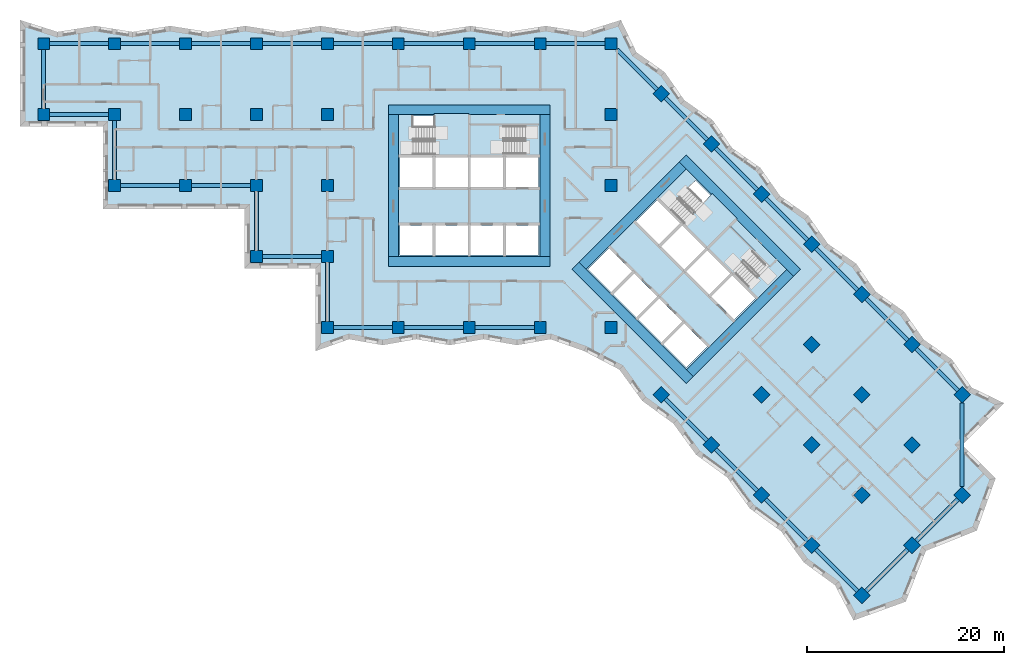
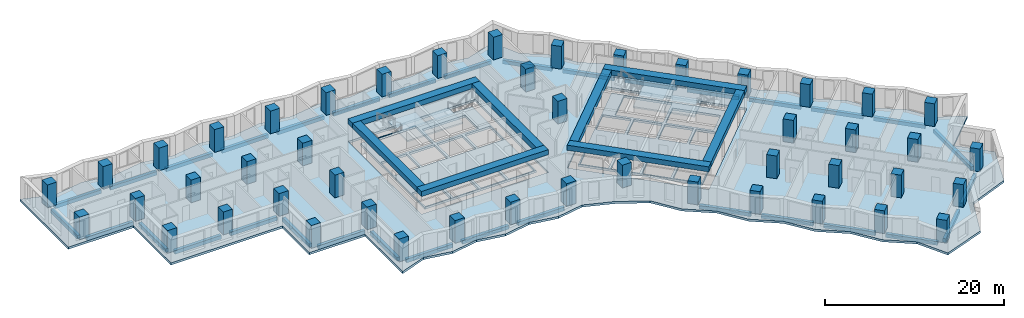
# One storey, part 1 of 12: 47 columns, 41 beams, 7 slabs, 22 openings, 4 elements without a shape of their own.
"""IFC4 building model written with IfcOpenShell, lengths in metres."""

from ifc_helpers import new_model, si_unit, direction, frame, origin, origin_2d, place, context, subcontext, project, spatial, polyline, rectangle, outline, extrude, material, layer, layer_set, material_profile, profile_set, type_object, element, aggregate, save


model = new_model("IFC4")

# Units and contexts
model_context = context("Model", 3, precision=1e-05, world=origin(), true_north=direction((0.0, 1.0)))
body_context = subcontext(model_context, "Body", "Model", "MODEL_VIEW")
ifc_project = project(units=[si_unit("LENGTHUNIT", "METRE"), si_unit("AREAUNIT", "SQUARE_METRE"), si_unit("VOLUMEUNIT", "CUBIC_METRE"), si_unit("PLANEANGLEUNIT", "RADIAN"), si_unit("MASSUNIT", "GRAM", prefix="KILO")], contexts=[model_context])

# Site, building, storey
site_placement = place(None, origin())
site = spatial("IfcSite", under=ifc_project, at=site_placement, CompositionType="ELEMENT")
building_placement = place(site_placement, origin())
building = spatial("IfcBuilding", under=site, at=building_placement, Name="Windrow Commons", CompositionType="ELEMENT")
storey_placement = place(building_placement, frame((0.0, 0.0, 61.0)))
storey = spatial("IfcBuildingStorey", under=building, at=storey_placement, Name="L16", CompositionType="ELEMENT", Elevation=61.0)

# Columns
ifc_material_1 = material(Name="Concrete C60/75", Category="concrete")
ifc_material_profile_1 = material_profile(ifc_material_1, rectangle(XDim=1.2, YDim=1.2, at=origin_2d()))
ifc_profile_set_1 = profile_set([ifc_material_profile_1], Name="Concrete C60/75")
column_type = type_object("IfcColumnType", Name="RC COLUMN 1200x1200 C60/75", PredefinedType="COLUMN", material=ifc_profile_set_1)
for number, where, z_axis, x_axis, name in (
    (1, (21.6, 64.8, 0.0), (0.0, 0.0, 1.0), (1.0, 0.0, 0.0), "C-Z1-04I"),
    (2, (21.6, 72.0, 0.0), (0.0, 0.0, 1.0), (1.0, 0.0, 0.0), "C-Z1-04J"),
    (3, (28.8, 57.6, 0.0), (0.0, 0.0, 1.0), (1.0, 0.0, 0.0), "C-Z1-05H"),
    (4, (28.8, 64.8, 0.0), (0.0, 0.0, 1.0), (1.0, 0.0, 0.0), "C-Z1-05I"),
    (5, (28.8, 72.0, 0.0), (0.0, 0.0, 1.0), (1.0, 0.0, 0.0), "C-Z1-05J"),
    (6, (36.0, 57.6, 0.0), (0.0, 0.0, 1.0), (1.0, 0.0, 0.0), "C-Z1-06H"),
    (7, (36.0, 64.8, 0.0), (0.0, 0.0, 1.0), (1.0, 0.0, 0.0), "C-Z1-06I"),
    (8, (36.0, 72.0, 0.0), (0.0, 0.0, 1.0), (1.0, 0.0, 0.0), "C-Z1-06J"),
    (9, (43.2, 50.4, 0.0), (0.0, 0.0, 1.0), (1.0, 0.0, 0.0), "C-Z1-07G"),
    (10, (43.2, 57.6, 0.0), (0.0, 0.0, 1.0), (1.0, 0.0, 0.0), "C-Z1-07H"),
    (11, (43.2, 64.8, 0.0), (0.0, 0.0, 1.0), (1.0, 0.0, 0.0), "C-Z1-07I"),
    (12, (43.2, 72.0, 0.0), (0.0, 0.0, 1.0), (1.0, 0.0, 0.0), "C-Z1-07J"),
    (13, (50.4, 43.2, 0.0), (0.0, 0.0, 1.0), (1.0, 0.0, 0.0), "C-Z1-08F"),
    (14, (50.4, 50.4, 0.0), (0.0, 0.0, 1.0), (1.0, 0.0, 0.0), "C-Z1-08G"),
    (15, (50.4, 57.6, 0.0), (0.0, 0.0, 1.0), (1.0, 0.0, 0.0), "C-Z1-08H"),
    (16, (50.4, 64.8, 0.0), (0.0, 0.0, 1.0), (1.0, 0.0, 0.0), "C-Z1-08I"),
    (17, (50.4, 72.0, 0.0), (0.0, 0.0, 1.0), (1.0, 0.0, 0.0), "C-Z1-08J"),
    (18, (57.6, 43.2, 0.0), (0.0, 0.0, 1.0), (1.0, 0.0, 0.0), "C-Z1-09F"),
    (19, (57.6, 72.0, 0.0), (0.0, 0.0, 1.0), (1.0, 0.0, 0.0), "C-Z1-09J"),
    (20, (64.8, 43.2, 0.0), (0.0, 0.0, 1.0), (1.0, 0.0, 0.0), "C-Z1-10F"),
    (21, (64.8, 72.0, 0.0), (0.0, 0.0, 1.0), (1.0, 0.0, 0.0), "C-Z1-10J"),
    (22, (72.0, 43.2, 0.0), (0.0, 0.0, 1.0), (1.0, 0.0, 0.0), "C-Z1-11F"),
    (23, (72.0, 72.0, 0.0), (0.0, 0.0, 1.0), (1.0, 0.0, 0.0), "C-Z1-11J"),
    (24, (79.2, 43.2, 0.0), (0.0, 0.0, 1.0), (1.0, 0.0, 0.0), "C-Z1-12F"),
    (25, (79.2, 57.6, 0.0), (0.0, 0.0, 1.0), (1.0, 0.0, 0.0), "C-Z1-12H"),
    (26, (79.2, 64.8, 0.0), (0.0, 0.0, 1.0), (1.0, 0.0, 0.0), "C-Z1-12I"),
    (27, (79.2, 72.0, 0.0), (0.0, 0.0, 1.0), (1.0, 0.0, 0.0), "C-Z1-12J"),
    (28, (84.2912, 66.9088, 0.0), (0.0, 0.0, 1.0), (0.7071067812, -0.7071067812, 0.0), "C-Z1-P2Q"),
    (29, (89.3823, 61.8177, 0.0), (0.0, 0.0, 1.0), (0.7071067812, -0.7071067812, 0.0), "C-Z1-P3Q"),
    (30, (94.4735, 56.7265, 0.0), (0.0, 0.0, 1.0), (0.7071067812, -0.7071067812, 0.0), "C-Z1-P4Q"),
    (31, (99.5647, 51.6353, 0.0), (0.0, 0.0, 1.0), (0.7071067812, -0.7071067812, 0.0), "C-Z1-P5Q"),
    (32, (84.2912, 36.3618, 0.0), (0.0, 0.0, 1.0), (0.7071067812, -0.7071067812, 0.0), "C-Z1-P5T"),
    (33, (104.6558, 46.5442, 0.0), (0.0, 0.0, 1.0), (0.7071067812, -0.7071067812, 0.0), "C-Z1-P6Q"),
    (34, (99.5647, 41.453, 0.0), (0.0, 0.0, 1.0), (0.7071067812, -0.7071067812, 0.0), "C-Z1-P6R"),
    (35, (94.4735, 36.3618, 0.0), (0.0, 0.0, 1.0), (0.7071067812, -0.7071067812, 0.0), "C-Z1-P6S"),
    (36, (89.3823, 31.2706, 0.0), (0.0, 0.0, 1.0), (0.7071067812, -0.7071067812, 0.0), "C-Z1-P6T"),
    (37, (109.747, 41.453, 0.0), (0.0, 0.0, 1.0), (0.7071067812, -0.7071067812, 0.0), "C-Z1-P7Q"),
    (38, (104.6558, 36.3618, 0.0), (0.0, 0.0, 1.0), (0.7071067812, -0.7071067812, 0.0), "C-Z1-P7R"),
    (39, (99.5647, 31.2706, 0.0), (0.0, 0.0, 1.0), (0.7071067812, -0.7071067812, 0.0), "C-Z1-P7S"),
    (40, (94.4735, 26.1795, 0.0), (0.0, 0.0, 1.0), (0.7071067812, -0.7071067812, 0.0), "C-Z1-P7T"),
    (41, (114.8382, 36.3618, 0.0), (0.0, 0.0, 1.0), (0.7071067812, -0.7071067812, 0.0), "C-Z1-P8Q"),
    (42, (109.747, 31.2706, 0.0), (0.0, 0.0, 1.0), (0.7071067812, -0.7071067812, 0.0), "C-Z1-P8R"),
    (43, (104.6558, 26.1795, 0.0), (0.0, 0.0, 1.0), (0.7071067812, -0.7071067812, 0.0), "C-Z1-P8S"),
    (44, (99.5647, 21.0883, 0.0), (0.0, 0.0, 1.0), (0.7071067812, -0.7071067812, 0.0), "C-Z1-P8T"),
    (45, (114.8382, 26.1795, 0.0), (0.0, 0.0, 1.0), (0.7071067812, -0.7071067812, 0.0), "C-Z1-P9R"),
    (46, (109.747, 21.0883, 0.0), (0.0, 0.0, 1.0), (0.7071067812, -0.7071067812, 0.0), "C-Z1-P9S"),
    (47, (104.6558, 15.9971, 0.0), (0.0, 0.0, 1.0), (0.7071067812, -0.7071067812, 0.0), "C-Z1-P9T"),
):
    element("IfcColumn", number, at=place(storey_placement, frame(where, z_axis=z_axis, x_axis=x_axis)), inside=storey, type_object=column_type, Name=name, PredefinedType="COLUMN", context=body_context, shape_type="SweptSolid", body=[
        extrude(rectangle(XDim=1.2, YDim=1.2, at=origin_2d()), origin(), (0.0, 0.0, 1.0), 3.1),
    ])

# Beams
ifc_material_2 = material(Name="Concrete C60/75", Category="concrete")
ifc_material_profile_2 = material_profile(ifc_material_2, rectangle(XDim=1.0, YDim=0.7, at=origin_2d()))
ifc_profile_set_2 = profile_set([ifc_material_profile_2], Name="Concrete C60/75")
beam_type_1 = type_object("IfcBeamType", Name="RC COUPLING BEAM 1000x700 C60/75", PredefinedType="LINTEL", material=ifc_profile_set_2)
for number, where, z_axis, x_axis, name in (
    (48, (56.6, 49.9, 2.75), (1.0, 0.0, 0.0), (0.0, 1.0, 0.0), "Core A coupling beam outer-S"),
    (49, (56.6, 65.3, 2.75), (1.0, 0.0, 0.0), (0.0, 1.0, 0.0), "Core A coupling beam outer-N"),
):
    element("IfcBeam", number, at=place(storey_placement, frame(where, z_axis=z_axis, x_axis=x_axis)), inside=storey, type_object=beam_type_1, Name=name, PredefinedType="LINTEL", context=body_context, shape_type="SweptSolid", body=[
        extrude(rectangle(XDim=1.0, YDim=0.7, at=origin_2d()), origin(), (0.0, 0.0, 1.0), 16.4),
    ])
for number, where, z_axis, x_axis, name in (
    (50, (57.1, 50.4, 2.75), (0.0, 1.0, 0.0), (-1.0, 0.0, 0.0), "Core A coupling beam outer-W"),
    (51, (72.5, 50.4, 2.75), (0.0, 1.0, 0.0), (-1.0, 0.0, 0.0), "Core A coupling beam outer-E"),
):
    element("IfcBeam", number, at=place(storey_placement, frame(where, z_axis=z_axis, x_axis=x_axis)), inside=storey, type_object=beam_type_1, Name=name, PredefinedType="LINTEL", context=body_context, shape_type="SweptSolid", body=[
        extrude(rectangle(XDim=1.0, YDim=0.7, at=origin_2d()), origin(), (0.0, 0.0, 1.0), 14.4),
    ])
for number, where, z_axis, x_axis, name in (
    (52, (75.5938, 49.4433, 2.75), (0.7071037324, -0.70710983, 0.0), (0.70710983, 0.7071037324, 0.0), "Core B coupling beam outer-S"),
    (53, (86.4832, 60.3327, 2.75), (0.70710983, -0.7071037324, 0.0), (0.7071037324, 0.70710983, 0.0), "Core B coupling beam outer-N"),
):
    element("IfcBeam", number, at=place(storey_placement, frame(where, z_axis=z_axis, x_axis=x_axis)), inside=storey, type_object=beam_type_1, Name=name, PredefinedType="LINTEL", context=body_context, shape_type="SweptSolid", body=[
        extrude(rectangle(XDim=1.0, YDim=0.7, at=origin_2d()), origin(), (0.0, 0.0, 1.0), 16.4),
    ])
beam_1_placement = place(storey_placement, frame((76.3009, 49.4433, 2.75), z_axis=(0.7071067812, 0.7071067812, 0.0), x_axis=(-0.7071067812, 0.7071067812, 0.0)))
element("IfcBeam", 54, at=beam_1_placement, inside=storey, type_object=beam_type_1, Name="Core B coupling beam outer-W", PredefinedType="LINTEL", context=body_context, shape_type="SweptSolid", body=[
    extrude(rectangle(XDim=1.0, YDim=0.7, at=origin_2d()), origin(), (0.0, 0.0, 1.0), 14.3999),
])
beam_2_placement = place(storey_placement, frame((87.1903, 38.5538, 2.75), z_axis=(0.707103309, 0.7071102534, 0.0), x_axis=(-0.7071102534, 0.707103309, 0.0)))
element("IfcBeam", 55, at=beam_2_placement, inside=storey, type_object=beam_type_1, Name="Core B coupling beam outer-E", PredefinedType="LINTEL", context=body_context, shape_type="SweptSolid", body=[
    extrude(rectangle(XDim=1.0, YDim=0.7, at=origin_2d()), origin(), (0.0, 0.0, 1.0), 14.4),
])
ifc_material_3 = material(Name="Concrete C60/75", Category="concrete")
ifc_material_profile_3 = material_profile(ifc_material_3, rectangle(XDim=0.4, YDim=0.5, at=origin_2d()))
ifc_profile_set_3 = profile_set([ifc_material_profile_3], Name="Concrete C60/75")
beam_type_2 = type_object("IfcBeamType", Name="RC EDGE BEAM 400x500 C60/75", PredefinedType="SPANDREL", material=ifc_profile_set_3)
for number, where, z_axis, x_axis, name in (
    (56, (49.8, 50.4, -0.55), (-1.0, 0.0, 0.0), (0.0, -1.0, 0.0), "Edge beam L16 001"),
    (57, (43.2, 51.0, -0.55), (0.0, 1.0, 0.0), (-1.0, 0.0, 0.0), "Edge beam L16 002"),
    (58, (42.6, 57.6, -0.55), (-1.0, 0.0, 0.0), (0.0, -1.0, 0.0), "Edge beam L16 003"),
    (59, (35.4, 57.6, -0.55), (-1.0, 0.0, 0.0), (0.0, -1.0, 0.0), "Edge beam L16 004"),
    (60, (28.8, 58.2, -0.55), (0.0, 1.0, 0.0), (-1.0, 0.0, 0.0), "Edge beam L16 005"),
    (61, (28.2, 64.8, -0.55), (-1.0, 0.0, 0.0), (0.0, -1.0, 0.0), "Edge beam L16 006"),
    (62, (21.6, 65.4, -0.55), (0.0, 1.0, 0.0), (-1.0, 0.0, 0.0), "Edge beam L16 007"),
    (63, (22.2, 72.0, -0.55), (1.0, 0.0, 0.0), (0.0, 1.0, 0.0), "Edge beam L16 008"),
    (64, (29.4, 72.0, -0.55), (1.0, 0.0, 0.0), (0.0, 1.0, 0.0), "Edge beam L16 009"),
    (65, (36.6, 72.0, -0.55), (1.0, 0.0, 0.0), (0.0, 1.0, 0.0), "Edge beam L16 010"),
    (66, (43.8, 72.0, -0.55), (1.0, 0.0, 0.0), (0.0, 1.0, 0.0), "Edge beam L16 011"),
    (67, (51.0, 72.0, -0.55), (1.0, 0.0, 0.0), (0.0, 1.0, 0.0), "Edge beam L16 012"),
    (68, (58.2, 72.0, -0.55), (1.0, 0.0, 0.0), (0.0, 1.0, 0.0), "Edge beam L16 013"),
    (69, (65.4, 72.0, -0.55), (1.0, 0.0, 0.0), (0.0, 1.0, 0.0), "Edge beam L16 014"),
    (70, (72.6, 72.0, -0.55), (1.0, 0.0, 0.0), (0.0, 1.0, 0.0), "Edge beam L16 015"),
):
    element("IfcBeam", number, at=place(storey_placement, frame(where, z_axis=z_axis, x_axis=x_axis)), inside=storey, type_object=beam_type_2, Name=name, PredefinedType="SPANDREL", context=body_context, shape_type="SweptSolid", body=[
        extrude(rectangle(XDim=0.4, YDim=0.5, at=origin_2d()), origin(), (0.0, 0.0, 1.0), 6.0),
    ])
beam_3_placement = place(storey_placement, frame((79.8, 71.4, -0.55), z_axis=(0.7071067812, -0.7071067812, 0.0), x_axis=(0.7071067812, 0.7071067812, 0.0)))
element("IfcBeam", 71, at=beam_3_placement, inside=storey, type_object=beam_type_2, Name="Edge beam L16 016", PredefinedType="SPANDREL", context=body_context, shape_type="SweptSolid", body=[
    extrude(rectangle(XDim=0.4, YDim=0.5, at=origin_2d()), origin(), (0.0, 0.0, 1.0), 5.7515),
])
beam_4_placement = place(storey_placement, frame((84.7155, 66.4845, -0.55), z_axis=(0.7071067812, -0.7071067812, 0.0), x_axis=(0.7071067812, 0.7071067812, 0.0)))
element("IfcBeam", 72, at=beam_4_placement, inside=storey, type_object=beam_type_2, Name="Edge beam L16 017", PredefinedType="SPANDREL", context=body_context, shape_type="SweptSolid", body=[
    extrude(rectangle(XDim=0.4, YDim=0.5, at=origin_2d()), origin(), (0.0, 0.0, 1.0), 5.9998),
])
for number, where, z_axis, x_axis, name in (
    (73, (89.8066, 61.3934, -0.55), (0.7071067812, -0.7071067812, 0.0), (0.7071067812, 0.7071067812, 0.0), "Edge beam L16 018"),
    (74, (94.8978, 56.3022, -0.55), (0.7071067812, -0.7071067812, 0.0), (0.7071067812, 0.7071067812, 0.0), "Edge beam L16 019"),
):
    element("IfcBeam", number, at=place(storey_placement, frame(where, z_axis=z_axis, x_axis=x_axis)), inside=storey, type_object=beam_type_2, Name=name, PredefinedType="SPANDREL", context=body_context, shape_type="SweptSolid", body=[
        extrude(rectangle(XDim=0.4, YDim=0.5, at=origin_2d()), origin(), (0.0, 0.0, 1.0), 5.9999),
    ])
beam_5_placement = place(storey_placement, frame((99.989, 51.211, -0.55), z_axis=(0.7071067812, -0.7071067812, 0.0), x_axis=(0.7071067812, 0.7071067812, 0.0)))
element("IfcBeam", 75, at=beam_5_placement, inside=storey, type_object=beam_type_2, Name="Edge beam L16 020", PredefinedType="SPANDREL", context=body_context, shape_type="SweptSolid", body=[
    extrude(rectangle(XDim=0.4, YDim=0.5, at=origin_2d()), origin(), (0.0, 0.0, 1.0), 5.9998),
])
for number, where, z_axis, x_axis, name in (
    (76, (105.0801, 46.1199, -0.55), (0.7071067812, -0.7071067812, 0.0), (0.7071067812, 0.7071067812, 0.0), "Edge beam L16 021"),
    (77, (110.1713, 41.0287, -0.55), (0.7071067812, -0.7071067812, 0.0), (0.7071067812, 0.7071067812, 0.0), "Edge beam L16 022"),
):
    element("IfcBeam", number, at=place(storey_placement, frame(where, z_axis=z_axis, x_axis=x_axis)), inside=storey, type_object=beam_type_2, Name=name, PredefinedType="SPANDREL", context=body_context, shape_type="SweptSolid", body=[
        extrude(rectangle(XDim=0.4, YDim=0.5, at=origin_2d()), origin(), (0.0, 0.0, 1.0), 5.9999),
    ])
beam_6_placement = place(storey_placement, frame((114.8382, 35.5133, -0.55), z_axis=(0.0, -1.0, 0.0), x_axis=(1.0, 0.0, 0.0)))
element("IfcBeam", 78, at=beam_6_placement, inside=storey, type_object=beam_type_2, Name="Edge beam L16 023", PredefinedType="SPANDREL", context=body_context, shape_type="SweptSolid", body=[
    extrude(rectangle(XDim=0.4, YDim=0.5, at=origin_2d()), origin(), (0.0, 0.0, 1.0), 8.4853),
])
for number, where, z_axis, x_axis, name in (
    (79, (114.4139, 25.7552, -0.55), (-0.7071067812, -0.7071067812, 0.0), (0.7071067812, -0.7071067812, 0.0), "Edge beam L16 024"),
    (80, (109.3227, 20.664, -0.55), (-0.7071067812, -0.7071067812, 0.0), (0.7071067812, -0.7071067812, 0.0), "Edge beam L16 025"),
    (81, (104.2315, 16.4214, -0.55), (-0.7070984476, 0.7071151146, 0.0), (-0.7071151146, -0.7070984476, 0.0), "Edge beam L16 026"),
    (82, (99.1404, 21.5126, -0.55), (-0.7071067812, 0.7071067812, 0.0), (-0.7071067812, -0.7071067812, 0.0), "Edge beam L16 027"),
    (83, (94.0492, 26.6038, -0.55), (-0.7071151146, 0.7070984476, 0.0), (-0.7070984476, -0.7071151146, 0.0), "Edge beam L16 028"),
    (84, (88.958, 31.6949, -0.55), (-0.7070984476, 0.7071151146, 0.0), (-0.7071151146, -0.7070984476, 0.0), "Edge beam L16 029"),
):
    element("IfcBeam", number, at=place(storey_placement, frame(where, z_axis=z_axis, x_axis=x_axis)), inside=storey, type_object=beam_type_2, Name=name, PredefinedType="SPANDREL", context=body_context, shape_type="SweptSolid", body=[
        extrude(rectangle(XDim=0.4, YDim=0.5, at=origin_2d()), origin(), (0.0, 0.0, 1.0), 5.9999),
    ])
for number, where, z_axis, x_axis, name in (
    (85, (71.4, 43.2, -0.55), (-1.0, 0.0, 0.0), (0.0, -1.0, 0.0), "Edge beam L16 030"),
    (86, (64.2, 43.2, -0.55), (-1.0, 0.0, 0.0), (0.0, -1.0, 0.0), "Edge beam L16 031"),
    (87, (57.0, 43.2, -0.55), (-1.0, 0.0, 0.0), (0.0, -1.0, 0.0), "Edge beam L16 032"),
    (88, (50.4, 43.8, -0.55), (0.0, 1.0, 0.0), (-1.0, 0.0, 0.0), "Edge beam L16 033"),
):
    element("IfcBeam", number, at=place(storey_placement, frame(where, z_axis=z_axis, x_axis=x_axis)), inside=storey, type_object=beam_type_2, Name=name, PredefinedType="SPANDREL", context=body_context, shape_type="SweptSolid", body=[
        extrude(rectangle(XDim=0.4, YDim=0.5, at=origin_2d()), origin(), (0.0, 0.0, 1.0), 6.0),
    ])

# Slab, openings
ifc_material_4 = material(Name="Concrete C60/75", Category="concrete")
ifc_layer_1 = layer(ifc_material_4, 0.3)
ifc_layer_set_1 = layer_set([ifc_layer_1], Name="CORE FLOOR SLAB 300 C60/75")
slab_type_1 = type_object("IfcSlabType", Name="CORE FLOOR SLAB 300 C60/75", PredefinedType="FLOOR", material=ifc_layer_set_1)
placement_1 = place(storey_placement, frame((0.0, 0.0, -0.3)))
slab_1 = element("IfcSlab", 89, at=placement_1, inside=storey, type_object=slab_type_1, Name="S-L16-core-A", PredefinedType="FLOOR", context=body_context, shape_type="SweptSolid", body=[
    extrude(outline(polyline([(57.6, 50.4), (72.0, 50.4), (72.0, 64.8), (57.6, 64.8), (57.6, 50.4)]), holes=[polyline([(57.75, 50.55), (61.05, 50.55), (61.05, 53.55), (57.75, 53.55), (57.75, 50.55)]), polyline([(61.35, 50.55), (64.65, 50.55), (64.65, 53.55), (61.35, 53.55), (61.35, 50.55)]), polyline([(64.95, 50.55), (68.25, 50.55), (68.25, 53.55), (64.95, 53.55), (64.95, 50.55)]), polyline([(68.55, 50.55), (71.85, 50.55), (71.85, 53.55), (68.55, 53.55), (68.55, 50.55)]), polyline([(57.75, 57.45), (61.05, 57.45), (61.05, 60.45), (57.75, 60.45), (57.75, 57.45)]), polyline([(61.35, 57.45), (64.65, 57.45), (64.65, 60.45), (61.35, 60.45), (61.35, 57.45)]), polyline([(64.95, 57.45), (68.25, 57.45), (68.25, 60.45), (64.95, 60.45), (64.95, 57.45)]), polyline([(68.55, 57.45), (71.85, 57.45), (71.85, 60.45), (68.55, 60.45), (68.55, 57.45)]), polyline([(59.1, 60.75), (64.65, 60.75), (64.65, 64.65), (59.1, 64.65), (59.1, 60.75)]), polyline([(64.95, 60.75), (70.5, 60.75), (70.5, 63.705), (64.95, 63.705), (64.95, 60.75)])]), origin(), (0.0, 0.0, 1.0), 0.3),
])
opening_1_placement = place(placement_1, origin())
element("IfcOpeningElement", 90, at=opening_1_placement, cuts=slab_1, Name="Slab opening S-L16-core-A 1", PredefinedType="OPENING", context=body_context, shape_type="SweptSolid", body=[
    extrude(outline(polyline([(57.755, 50.555), (57.755, 53.545), (61.045, 53.545), (61.045, 50.555), (57.755, 50.555)])), origin(), (0.0, 0.0, 1.0), 0.3),
])
opening_2_placement = place(placement_1, origin())
element("IfcOpeningElement", 91, at=opening_2_placement, cuts=slab_1, Name="Slab opening S-L16-core-A 2", PredefinedType="OPENING", context=body_context, shape_type="SweptSolid", body=[
    extrude(outline(polyline([(61.355, 50.555), (61.355, 53.545), (64.645, 53.545), (64.645, 50.555), (61.355, 50.555)])), origin(), (0.0, 0.0, 1.0), 0.3),
])
opening_3_placement = place(placement_1, origin())
element("IfcOpeningElement", 92, at=opening_3_placement, cuts=slab_1, Name="Slab opening S-L16-core-A 3", PredefinedType="OPENING", context=body_context, shape_type="SweptSolid", body=[
    extrude(outline(polyline([(64.955, 50.555), (64.955, 53.545), (68.245, 53.545), (68.245, 50.555), (64.955, 50.555)])), origin(), (0.0, 0.0, 1.0), 0.3),
])
opening_4_placement = place(placement_1, origin())
element("IfcOpeningElement", 93, at=opening_4_placement, cuts=slab_1, Name="Slab opening S-L16-core-A 4", PredefinedType="OPENING", context=body_context, shape_type="SweptSolid", body=[
    extrude(outline(polyline([(68.555, 50.555), (68.555, 53.545), (71.845, 53.545), (71.845, 50.555), (68.555, 50.555)])), origin(), (0.0, 0.0, 1.0), 0.3),
])
opening_5_placement = place(placement_1, origin())
element("IfcOpeningElement", 94, at=opening_5_placement, cuts=slab_1, Name="Slab opening S-L16-core-A 5", PredefinedType="OPENING", context=body_context, shape_type="SweptSolid", body=[
    extrude(outline(polyline([(57.755, 57.455), (57.755, 60.445), (61.045, 60.445), (61.045, 57.455), (57.755, 57.455)])), origin(), (0.0, 0.0, 1.0), 0.3),
])
opening_6_placement = place(placement_1, origin())
element("IfcOpeningElement", 95, at=opening_6_placement, cuts=slab_1, Name="Slab opening S-L16-core-A 6", PredefinedType="OPENING", context=body_context, shape_type="SweptSolid", body=[
    extrude(outline(polyline([(61.355, 57.455), (61.355, 60.445), (64.645, 60.445), (64.645, 57.455), (61.355, 57.455)])), origin(), (0.0, 0.0, 1.0), 0.3),
])
opening_7_placement = place(placement_1, origin())
element("IfcOpeningElement", 96, at=opening_7_placement, cuts=slab_1, Name="Slab opening S-L16-core-A 7", PredefinedType="OPENING", context=body_context, shape_type="SweptSolid", body=[
    extrude(outline(polyline([(64.955, 57.455), (64.955, 60.445), (68.245, 60.445), (68.245, 57.455), (64.955, 57.455)])), origin(), (0.0, 0.0, 1.0), 0.3),
])
opening_8_placement = place(placement_1, origin())
element("IfcOpeningElement", 97, at=opening_8_placement, cuts=slab_1, Name="Slab opening S-L16-core-A 8", PredefinedType="OPENING", context=body_context, shape_type="SweptSolid", body=[
    extrude(outline(polyline([(68.555, 57.455), (68.555, 60.445), (71.845, 60.445), (71.845, 57.455), (68.555, 57.455)])), origin(), (0.0, 0.0, 1.0), 0.3),
])
opening_9_placement = place(placement_1, origin())
element("IfcOpeningElement", 98, at=opening_9_placement, cuts=slab_1, Name="Slab opening S-L16-core-A 9", PredefinedType="OPENING", context=body_context, shape_type="SweptSolid", body=[
    extrude(outline(polyline([(59.105, 60.755), (59.105, 64.645), (64.645, 64.645), (64.645, 60.755), (59.105, 60.755)])), origin(), (0.0, 0.0, 1.0), 0.3),
])
opening_10_placement = place(placement_1, origin())
element("IfcOpeningElement", 99, at=opening_10_placement, cuts=slab_1, Name="Slab opening S-L16-core-A 10", PredefinedType="OPENING", context=body_context, shape_type="SweptSolid", body=[
    extrude(outline(polyline([(64.955, 60.755), (64.955, 63.7), (70.495, 63.7), (70.495, 60.755), (64.955, 60.755)])), origin(), (0.0, 0.0, 1.0), 0.3),
])

slab_2 = element("IfcSlab", 100, at=placement_1, inside=storey, type_object=slab_type_1, Name="S-L16-core-B", PredefinedType="FLOOR", context=body_context, shape_type="SweptSolid", body=[
    extrude(outline(polyline([(76.6544, 49.0897), (86.8368, 38.9074), (97.0191, 49.0897), (86.8368, 59.2721), (76.6544, 49.0897)]), holes=[polyline([(76.8665, 49.0897), (79.2, 46.7563), (81.3213, 48.8776), (78.9879, 51.2111), (76.8665, 49.0897)]), polyline([(79.4121, 46.5442), (81.7456, 44.2107), (83.8669, 46.332), (81.5335, 48.6655), (79.4121, 46.5442)]), polyline([(81.9577, 43.9986), (84.2912, 41.6651), (86.4125, 43.7864), (84.079, 46.1199), (81.9577, 43.9986)]), polyline([(84.5033, 41.453), (86.8368, 39.1195), (88.9581, 41.2409), (86.6246, 43.5743), (84.5033, 41.453)]), polyline([(81.7456, 53.9688), (84.079, 51.6353), (86.2004, 53.7566), (83.8669, 56.0901), (81.7456, 53.9688)]), polyline([(84.2912, 51.4232), (86.6246, 49.0897), (88.7459, 51.2111), (86.4125, 53.5445), (84.2912, 51.4232)]), polyline([(86.8368, 48.8776), (89.1702, 46.5442), (91.2915, 48.6655), (88.9581, 50.9989), (86.8368, 48.8776)]), polyline([(89.3823, 46.332), (91.7158, 43.9986), (93.8371, 46.1199), (91.5037, 48.4533), (89.3823, 46.332)]), polyline([(85.0336, 55.3476), (88.9581, 51.4232), (91.7158, 54.1809), (87.7913, 58.1054), (85.0336, 55.3476)]), polyline([(89.1702, 51.2111), (93.0946, 47.2866), (95.1841, 49.3761), (91.2597, 53.3006), (89.1702, 51.2111)])]), origin(), (0.0, 0.0, 1.0), 0.3),
])
opening_11_placement = place(placement_1, origin())
element("IfcOpeningElement", 101, at=opening_11_placement, cuts=slab_2, Name="Slab opening S-L16-core-B 1", PredefinedType="OPENING", context=body_context, shape_type="SweptSolid", body=[
    extrude(outline(polyline([(76.8736, 49.0897), (78.9879, 51.204), (81.3142, 48.8776), (79.2, 46.7634), (76.8736, 49.0897)])), origin(), (0.0, 0.0, 1.0), 0.3),
])
opening_12_placement = place(placement_1, origin())
element("IfcOpeningElement", 102, at=opening_12_placement, cuts=slab_2, Name="Slab opening S-L16-core-B 2", PredefinedType="OPENING", context=body_context, shape_type="SweptSolid", body=[
    extrude(outline(polyline([(79.4192, 46.5442), (81.5335, 48.6584), (83.8598, 46.332), (81.7456, 44.2178), (79.4192, 46.5442)])), origin(), (0.0, 0.0, 1.0), 0.3),
])
opening_13_placement = place(placement_1, origin())
element("IfcOpeningElement", 103, at=opening_13_placement, cuts=slab_2, Name="Slab opening S-L16-core-B 3", PredefinedType="OPENING", context=body_context, shape_type="SweptSolid", body=[
    extrude(outline(polyline([(81.9648, 43.9986), (84.079, 46.1128), (86.4054, 43.7864), (84.2912, 41.6722), (81.9648, 43.9986)])), origin(), (0.0, 0.0, 1.0), 0.3),
])
opening_14_placement = place(placement_1, origin())
element("IfcOpeningElement", 104, at=opening_14_placement, cuts=slab_2, Name="Slab opening S-L16-core-B 4", PredefinedType="OPENING", context=body_context, shape_type="SweptSolid", body=[
    extrude(outline(polyline([(84.5104, 41.453), (86.6246, 43.5672), (88.951, 41.2409), (86.8368, 39.1266), (84.5104, 41.453)])), origin(), (0.0, 0.0, 1.0), 0.3),
])
opening_15_placement = place(placement_1, origin())
element("IfcOpeningElement", 105, at=opening_15_placement, cuts=slab_2, Name="Slab opening S-L16-core-B 5", PredefinedType="OPENING", context=body_context, shape_type="SweptSolid", body=[
    extrude(outline(polyline([(81.7527, 53.9688), (83.8669, 56.083), (86.1933, 53.7566), (84.079, 51.6424), (81.7527, 53.9688)])), origin(), (0.0, 0.0, 1.0), 0.3),
])
opening_16_placement = place(placement_1, origin())
element("IfcOpeningElement", 106, at=opening_16_placement, cuts=slab_2, Name="Slab opening S-L16-core-B 6", PredefinedType="OPENING", context=body_context, shape_type="SweptSolid", body=[
    extrude(outline(polyline([(84.2983, 51.4232), (86.4125, 53.5374), (88.7388, 51.2111), (86.6246, 49.0968), (84.2983, 51.4232)])), origin(), (0.0, 0.0, 1.0), 0.3),
])
opening_17_placement = place(placement_1, origin())
element("IfcOpeningElement", 107, at=opening_17_placement, cuts=slab_2, Name="Slab opening S-L16-core-B 7", PredefinedType="OPENING", context=body_context, shape_type="SweptSolid", body=[
    extrude(outline(polyline([(86.8439, 48.8776), (88.9581, 50.9918), (91.2844, 48.6655), (89.1702, 46.5513), (86.8439, 48.8776)])), origin(), (0.0, 0.0, 1.0), 0.3),
])
opening_18_placement = place(placement_1, origin())
element("IfcOpeningElement", 108, at=opening_18_placement, cuts=slab_2, Name="Slab opening S-L16-core-B 8", PredefinedType="OPENING", context=body_context, shape_type="SweptSolid", body=[
    extrude(outline(polyline([(89.3894, 46.332), (91.5037, 48.4462), (93.83, 46.1199), (91.7158, 44.0057), (89.3894, 46.332)])), origin(), (0.0, 0.0, 1.0), 0.3),
])
opening_19_placement = place(placement_1, origin())
element("IfcOpeningElement", 109, at=opening_19_placement, cuts=slab_2, Name="Slab opening S-L16-core-B 9", PredefinedType="OPENING", context=body_context, shape_type="SweptSolid", body=[
    extrude(outline(polyline([(85.0407, 55.3476), (87.7913, 58.0983), (91.7087, 54.1809), (88.9581, 51.4303), (85.0407, 55.3476)])), origin(), (0.0, 0.0, 1.0), 0.3),
])
opening_20_placement = place(placement_1, origin())
element("IfcOpeningElement", 110, at=opening_20_placement, cuts=slab_2, Name="Slab opening S-L16-core-B 10", PredefinedType="OPENING", context=body_context, shape_type="SweptSolid", body=[
    extrude(outline(polyline([(89.1773, 51.2111), (91.2597, 53.2935), (95.177, 49.3761), (93.0946, 47.2937), (89.1773, 51.2111)])), origin(), (0.0, 0.0, 1.0), 0.3),
])

# Stair, slab
ifc_material_5 = material(Name="Concrete C40/50", Category="concrete")
stair_type = type_object("IfcStairType", Name="Core stair", PredefinedType="HALF_TURN_STAIR", material=ifc_material_5)
placement_2 = place(storey_placement, origin())
stair_1 = element("IfcStair", 111, at=placement_2, inside=storey, type_object=stair_type, Name="L16 Exit stair A1 core A", PredefinedType="HALF_TURN_STAIR")
ifc_material_6 = material(Name="Concrete C40/50", Category="concrete")
ifc_layer_2 = layer(ifc_material_6, 0.2)
ifc_layer_set_2 = layer_set([ifc_layer_2], Name="Core stair landing")
slab_type_2 = type_object("IfcSlabType", Name="Core stair landing", PredefinedType="LANDING", material=ifc_layer_set_2)
placement_3 = place(storey_placement, frame((0.0, 0.0, 1.5)))
slab_3 = element("IfcSlab", 112, at=placement_3, type_object=slab_type_2, Name="ST-A1 landing 1", PredefinedType="LANDING", context=body_context, shape_type="SweptSolid", body=[
    extrude(outline(polyline([(61.22, 60.5), (64.8, 60.5), (64.8, 64.9), (61.22, 64.9), (61.22, 60.5)])), origin(), (0.0, 0.0, 1.0), 0.2),
])
aggregate(stair_1, [slab_3])

stair_2 = element("IfcStair", 113, at=placement_2, inside=storey, type_object=stair_type, Name="L16 Exit stair A2 core A", PredefinedType="HALF_TURN_STAIR")
slab_4 = element("IfcSlab", 114, at=placement_3, type_object=slab_type_2, Name="ST-A2 landing 1", PredefinedType="LANDING", context=body_context, shape_type="SweptSolid", body=[
    extrude(outline(polyline([(64.8, 60.5), (68.38, 60.5), (68.38, 63.855), (64.8, 63.855), (64.8, 60.5)])), origin(), (0.0, 0.0, 1.0), 0.2),
])
aggregate(stair_2, [slab_4])

stair_3 = element("IfcStair", 115, at=placement_2, inside=storey, type_object=stair_type, Name="L16 Exit stair B1 core B", PredefinedType="HALF_TURN_STAIR")
slab_5 = element("IfcSlab", 116, at=placement_3, type_object=slab_type_2, Name="ST-B1 landing 1", PredefinedType="LANDING", context=body_context, shape_type="SweptSolid", body=[
    extrude(outline(polyline([(86.3559, 53.6718), (88.8874, 51.1403), (91.9986, 54.2516), (89.4672, 56.7831), (86.3559, 53.6718)])), origin(), (0.0, 0.0, 1.0), 0.2),
])
aggregate(stair_3, [slab_5])

stair_4 = element("IfcStair", 117, at=placement_2, inside=storey, type_object=stair_type, Name="L16 Exit stair B2 core B", PredefinedType="HALF_TURN_STAIR")
slab_6 = element("IfcSlab", 118, at=placement_3, type_object=slab_type_2, Name="ST-B2 landing 1", PredefinedType="LANDING", context=body_context, shape_type="SweptSolid", body=[
    extrude(outline(polyline([(88.8874, 51.1403), (91.4188, 48.6089), (93.7911, 50.9812), (91.2597, 53.5127), (88.8874, 51.1403)])), origin(), (0.0, 0.0, 1.0), 0.2),
])
aggregate(stair_4, [slab_6])

# Slab, openings
ifc_material_7 = material(Name="Concrete C60/75", Category="concrete")
ifc_layer_3 = layer(ifc_material_7, 0.3)
ifc_layer_set_3 = layer_set([ifc_layer_3], Name="FLOOR SLAB 300 C60/75")
slab_type_3 = type_object("IfcSlabType", Name="FLOOR SLAB 300 C60/75", PredefinedType="FLOOR", material=ifc_layer_set_3)
slab_7 = element("IfcSlab", 119, at=placement_1, inside=storey, type_object=slab_type_3, Name="S-L16-floor", PredefinedType="FLOOR", context=body_context, shape_type="SweptSolid", body=[
    extrude(outline(polyline([(101.921, 17.0349), (103.8051, 13.4495), (109.109, 15.3592), (111.1601, 20.5216), (116.3226, 22.5727), (118.2323, 27.8765), (114.8382, 31.2706), (119.0829, 35.5155), (115.8018, 37.0953), (113.7977, 39.9521), (110.9409, 41.9562), (108.9368, 44.8131), (106.0799, 46.8172), (104.0758, 49.674), (101.219, 51.6781), (99.2149, 54.535), (96.358, 56.5391), (94.354, 59.3959), (91.4971, 61.4), (89.493, 64.2569), (86.6362, 66.2609), (84.6321, 69.1178), (81.7752, 71.1219), (80.1954, 74.403), (76.383, 73.2), (72.5706, 73.803), (68.7582, 73.2), (64.9458, 73.803), (61.1334, 73.2), (57.321, 73.803), (53.5086, 73.2), (49.6962, 73.803), (45.8838, 73.2), (42.0714, 73.803), (38.259, 73.2), (34.4466, 73.803), (30.6342, 73.2), (26.8218, 73.803), (23.0094, 73.2), (19.197, 74.403), (19.197, 63.6), (27.6, 63.6), (27.6, 55.197), (42.0, 55.197), (42.0, 49.2), (49.2, 49.2), (49.2, 40.797), (52.6072, 42.0), (56.0144, 41.397), (59.4216, 42.0), (62.8288, 41.397), (66.236, 42.0), (69.6432, 41.397), (73.0504, 42.0), (76.4576, 40.797), (80.043, 38.9129), (82.3514, 35.7518), (85.5125, 33.4434), (87.8209, 30.2822), (90.982, 27.9739), (93.2904, 24.8127), (96.4515, 22.5044), (98.7599, 19.3432), (101.921, 17.0349)]), holes=[polyline([(75.2402, 49.0897), (86.8368, 60.6863), (98.4333, 49.0897), (86.8368, 37.4932), (75.2402, 49.0897)]), polyline([(56.6, 49.4), (56.6, 65.8), (73.0, 65.8), (73.0, 49.4), (56.6, 49.4)])]), origin(), (0.0, 0.0, 1.0), 0.3),
])
opening_21_placement = place(placement_1, origin())
element("IfcOpeningElement", 120, at=opening_21_placement, cuts=slab_7, Name="Slab opening S-L16-floor 1", PredefinedType="OPENING", context=body_context, shape_type="SweptSolid", body=[
    extrude(outline(polyline([(75.2473, 49.0897), (86.8368, 60.6792), (98.4262, 49.0897), (86.8368, 37.5003), (75.2473, 49.0897)])), origin(), (0.0, 0.0, 1.0), 0.3),
])
opening_22_placement = place(placement_1, origin())
element("IfcOpeningElement", 121, at=opening_22_placement, cuts=slab_7, Name="Slab opening S-L16-floor 2", PredefinedType="OPENING", context=body_context, shape_type="SweptSolid", body=[
    extrude(outline(polyline([(56.605, 49.405), (56.605, 65.795), (72.995, 65.795), (72.995, 49.405), (56.605, 49.405)])), origin(), (0.0, 0.0, 1.0), 0.3),
])

save(model, "model.ifc")
